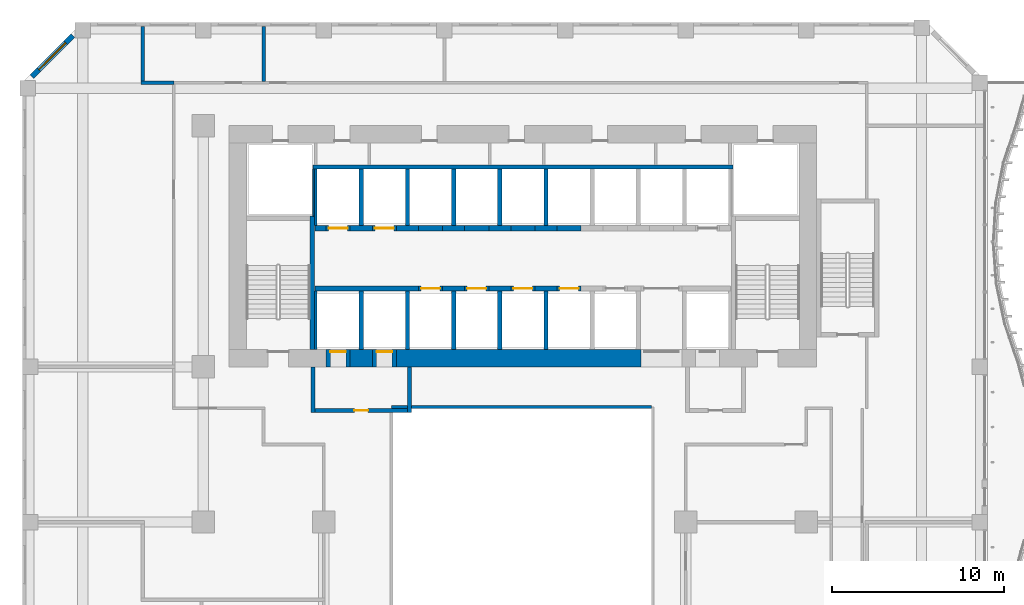
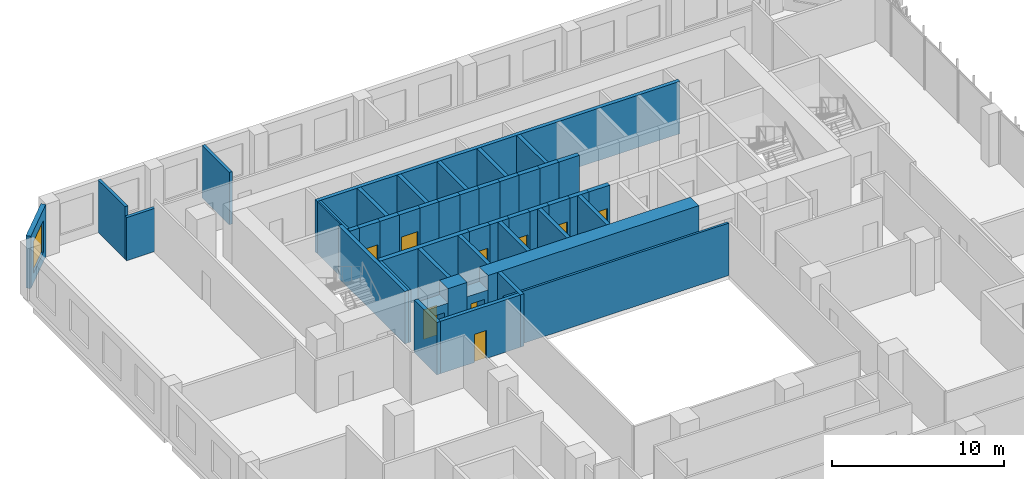
# One storey, part 15 of 27: 47 walls, 9 doors, 1 window, 10 openings.
"""IFC4 building model written with IfcOpenShell, lengths in metres."""

from ifc_helpers import new_model, si_unit, direction, frame, frame_2d, origin, place, context, subcontext, project, spatial, rectangle, extrude, source, transform, mapped, material, layer, layer_set, type_object, element, fill, save


model = new_model("IFC4")

# Units and contexts
model_context = context("Model", 3, precision=1e-05, world=origin(), true_north=direction((0.0, 1.0)))
body_context = subcontext(model_context, "Body", "Model", "MODEL_VIEW")
ifc_project = project(units=[si_unit("LENGTHUNIT", "METRE"), si_unit("AREAUNIT", "SQUARE_METRE"), si_unit("VOLUMEUNIT", "CUBIC_METRE"), si_unit("PLANEANGLEUNIT", "RADIAN"), si_unit("MASSUNIT", "GRAM", prefix="KILO")], contexts=[model_context])

# Site, building, storey
site_placement = place(None, origin())
site = spatial("IfcSite", under=ifc_project, at=site_placement, CompositionType="ELEMENT")
building_placement = place(site_placement, origin())
building = spatial("IfcBuilding", under=site, at=building_placement, Name="Kilnfold Tower and Market Hall", CompositionType="ELEMENT")
storey_placement = place(building_placement, frame((0.0, 0.0, 51.0)))
storey = spatial("IfcBuildingStorey", under=building, at=storey_placement, Name="L11", CompositionType="ELEMENT", Elevation=51.0)

# Walls
ifc_material_1 = material(Name="Fire-resisting glazed screen")
ifc_layer_1 = layer(ifc_material_1, 0.14990234375)
ifc_layer_set_1 = layer_set([ifc_layer_1], Name="Fire-resisting glazed screen")
wall_type_1 = type_object("IfcWallType", Name="WALL ATRIUM 150", PredefinedType="PARTITIONING", material=ifc_layer_set_1)
wall_1_placement = place(storey_placement, frame((-6.574951171875, 5.675048828125, 0.0), z_axis=(0.0, 0.0, 1.0), x_axis=(1.0, 0.0, 0.0)))
element("IfcWall", 1, at=wall_1_placement, inside=storey, type_object=wall_type_1, Name="Partition LY10.70", PredefinedType="PARTITIONING", context=body_context, shape_type="SweptSolid", body=[
    extrude(rectangle(XDim=15.074951171875, YDim=0.14990234375, at=frame_2d((7.53759765625, 0.0))), origin(), (0.0, 0.0, 1.0), 3.719970703125),
])
ifc_material_2 = material(Name="Gypsum board on steel studs", Category="steel")
ifc_layer_2 = layer(ifc_material_2, 0.199951171875)
ifc_layer_set_2 = layer_set([ifc_layer_2], Name="Gypsum board on steel studs")
wall_type_2 = type_object("IfcWallType", Name="WALL PARTY 200", PredefinedType="PARTITIONING", material=ifc_layer_set_2)
wall_2_placement = place(storey_placement, frame((-14.0, 27.75, 0.0), z_axis=(0.0, 0.0, 1.0), x_axis=(0.0, -1.0, 0.0)))
element("IfcWall", 2, at=wall_2_placement, inside=storey, type_object=wall_type_2, Name="Partition LY10.65", PredefinedType="PARTITIONING", context=body_context, shape_type="SweptSolid", body=[
    extrude(rectangle(XDim=3.174072265625, YDim=0.199951171875, at=frame_2d((1.5869140625, 0.0))), origin(), (0.0, 0.0, 1.0), 3.719970703125),
])
wall_3_placement = place(storey_placement, frame((-21.10009765625, 24.5, 0.0), z_axis=(0.0, 0.0, 1.0), x_axis=(1.0, 0.0, 0.0)))
element("IfcWall", 3, at=wall_3_placement, inside=storey, type_object=wall_type_2, Name="Partition LY10.66", PredefinedType="PARTITIONING", context=body_context, shape_type="SweptSolid", body=[
    extrude(rectangle(XDim=1.899169921875, YDim=0.199951171875, at=frame_2d((0.94970703125, 0.0))), origin(), (0.0, 0.0, 1.0), 3.070068359375),
])
wall_4_placement = place(storey_placement, frame((-21.0, 24.60009765625, 0.0), z_axis=(0.0, 0.0, 1.0), x_axis=(0.0, 1.0, 0.0)))
element("IfcWall", 4, at=wall_4_placement, inside=storey, type_object=wall_type_2, Name="Partition LY10.67", PredefinedType="PARTITIONING", context=body_context, shape_type="SweptSolid", body=[
    extrude(rectangle(XDim=3.14990234375, YDim=0.199951171875, at=frame_2d((1.574951171875, 0.0))), origin(), (0.0, 0.0, 1.0), 3.719970703125),
])
ifc_material_3 = material(Name="Concrete C80", Category="concrete")
ifc_layer_3 = layer(ifc_material_3, 1.0)
ifc_layer_set_3 = layer_set([ifc_layer_3], Name="Concrete C80")
wall_type_3 = type_object("IfcWallType", Name="CORE WALL 1000 C80", PredefinedType="SHEAR", material=ifc_layer_set_3)
shared_shape_1 = source(origin(), body_context, "Body", "SweptSolid", [
    extrude(rectangle(XDim=1.280029296875, YDim=1.0, at=frame_2d((0.64013671875, 0.0))), origin(), (0.0, 0.0, 1.0), 3.719970703125),
])
wall_5_placement = place(storey_placement, frame((-8.969970703125, 8.5, 0.0), z_axis=(0.0, 0.0, 1.0), x_axis=(1.0, 0.0, 0.0)))
element("IfcWall", 5, at=wall_5_placement, inside=storey, type_object=wall_type_3, Name="Core outer wall south", PredefinedType="SHEAR", context=body_context, shape_type="MappedRepresentation", body=[
    mapped(shared_shape_1, transform((0.0, 0.0, 0.0))),
])
shared_shape_2 = source(origin(), body_context, "Body", "SweptSolid", [
    extrude(rectangle(XDim=14.179931640625, YDim=1.0, at=frame_2d((7.08984375, 0.0))), origin(), (0.0, 0.0, 1.0), 3.719970703125),
])
wall_6_placement = place(storey_placement, frame((-6.2900390625, 8.5, 0.0), z_axis=(0.0, 0.0, 1.0), x_axis=(1.0, 0.0, 0.0)))
element("IfcWall", 6, at=wall_6_placement, inside=storey, type_object=wall_type_3, Name="Core outer wall south", PredefinedType="SHEAR", context=body_context, shape_type="MappedRepresentation", body=[
    mapped(shared_shape_2, transform((0.0, 0.0, 0.0))),
])
ifc_material_4 = material(Name="Concrete C80", Category="concrete")
ifc_layer_4 = layer(ifc_material_4, 0.25)
ifc_layer_set_4 = layer_set([ifc_layer_4], Name="Concrete C80")
wall_type_4 = type_object("IfcWallType", Name="CORE WALL 250 C80", PredefinedType="SHEAR", material=ifc_layer_set_4)
shared_shape_3 = source(origin(), body_context, "Body", "SweptSolid", [
    extrude(rectangle(XDim=7.75, YDim=0.25, at=frame_2d((3.875, 0.0))), origin(), (0.0, 0.0, 1.0), 3.719970703125),
])
wall_7_placement = place(storey_placement, frame((-11.175048828125, 9.0, 0.0), z_axis=(0.0, 0.0, 1.0), x_axis=(0.0, 1.0, 0.0)))
element("IfcWall", 7, at=wall_7_placement, inside=storey, type_object=wall_type_4, Name="Stair enclosure ST1", PredefinedType="SHEAR", context=body_context, shape_type="MappedRepresentation", body=[
    mapped(shared_shape_3, transform((0.0, 0.0, 0.0))),
])
ifc_material_5 = material(Name="Concrete C80", Category="concrete")
ifc_layer_5 = layer(ifc_material_5, 0.300048828125)
ifc_layer_set_5 = layer_set([ifc_layer_5], Name="Concrete C80")
wall_type_5 = type_object("IfcWallType", Name="CORE WALL 300 C80", PredefinedType="SHEAR", material=ifc_layer_set_5)
shared_shape_4 = source(origin(), body_context, "Body", "SweptSolid", [
    extrude(rectangle(XDim=6.0, YDim=0.300048828125, at=frame_2d((3.0, 0.0))), origin(), (0.0, 0.0, 1.0), 3.719970703125),
])
wall_8_placement = place(storey_placement, frame((-11.010009765625, 12.550048828125, 0.0), z_axis=(0.0, 0.0, 1.0), x_axis=(1.0, 0.0, 0.0)))
element("IfcWall", 8, at=wall_8_placement, inside=storey, type_object=wall_type_5, Name="Core spine wall", PredefinedType="SHEAR", context=body_context, shape_type="MappedRepresentation", body=[
    mapped(shared_shape_4, transform((0.0, 0.0, 0.0))),
])
shared_shape_5 = source(origin(), body_context, "Body", "SweptSolid", [
    extrude(rectangle(XDim=1.280029296875, YDim=0.300048828125, at=frame_2d((0.64013671875, 0.0))), origin(), (0.0, 0.0, 1.0), 3.719970703125),
])
for number, where, z_axis, x_axis, name in (
    (9, (-3.610107421875, 12.550048828125, 0.0), (0.0, 0.0, 1.0), (1.0, 0.0, 0.0), "Core spine wall"),
    (10, (-0.929931640625, 12.550048828125, 0.0), (0.0, 0.0, 1.0), (1.0, 0.0, 0.0), "Core spine wall"),
    (11, (1.75, 12.550048828125, 0.0), (0.0, 0.0, 1.0), (1.0, 0.0, 0.0), "Core spine wall"),
    (12, (-8.969970703125, 16.050048828125, 0.0), (0.0, 0.0, 1.0), (1.0, 0.0, 0.0), "Core spine wall"),
    (13, (-6.2900390625, 16.050048828125, 0.0), (0.0, 0.0, 1.0), (1.0, 0.0, 0.0), "Core spine wall"),
    (14, (-3.610107421875, 16.050048828125, 0.0), (0.0, 0.0, 1.0), (1.0, 0.0, 0.0), "Core spine wall"),
    (15, (-0.929931640625, 16.050048828125, 0.0), (0.0, 0.0, 1.0), (1.0, 0.0, 0.0), "Core spine wall"),
    (16, (1.75, 16.050048828125, 0.0), (0.0, 0.0, 1.0), (1.0, 0.0, 0.0), "Core spine wall"),
):
    element("IfcWall", number, at=place(storey_placement, frame(where, z_axis=z_axis, x_axis=x_axis)), inside=storey, type_object=wall_type_5, Name=name, PredefinedType="SHEAR", context=body_context, shape_type="MappedRepresentation", body=[
        mapped(shared_shape_5, transform((0.0, 0.0, 0.0))),
    ])
shared_shape_6 = source(origin(), body_context, "Body", "SweptSolid", [
    extrude(rectangle(XDim=0.639892578125, YDim=0.300048828125, at=frame_2d((0.31982421875, 0.0))), origin(), (0.0, 0.0, 1.0), 3.719970703125),
])
wall_9_placement = place(storey_placement, frame((-11.010009765625, 16.050048828125, 0.0), z_axis=(0.0, 0.0, 1.0), x_axis=(1.0, 0.0, 0.0)))
element("IfcWall", 17, at=wall_9_placement, inside=storey, type_object=wall_type_5, Name="Core spine wall", PredefinedType="SHEAR", context=body_context, shape_type="MappedRepresentation", body=[
    mapped(shared_shape_6, transform((0.0, 0.0, 0.0))),
])

# Wall, opening, window
ifc_material_6 = material(Name="Precast concrete C50/60", Category="concrete")
ifc_layer_6 = layer(ifc_material_6, 0.300048828125)
ifc_layer_set_6 = layer_set([ifc_layer_6], Name="Precast concrete C50/60")
wall_type_6 = type_object("IfcWallType", Name="PRECAST WALL 300", PredefinedType="SOLIDWALL", material=ifc_layer_set_6)
shared_shape_7 = source(origin(), body_context, "Body", "SweptSolid", [
    extrude(rectangle(XDim=3.35888671875, YDim=0.300048828125, at=frame_2d((1.679443359375, 0.0))), origin(), (0.0, 0.0, 1.0), 3.719970703125),
])
wall_10_placement = place(storey_placement, frame((-25.06884765625, 27.218994140625, 0.0), z_axis=(0.0, 0.0, 1.0), x_axis=(-0.707143122278, -0.707070438228, 0.0)))
wall_10 = element("IfcWall", 18, at=wall_10_placement, inside=storey, type_object=wall_type_6, Name="External wall L11 NW", PredefinedType="SOLIDWALL", context=body_context, shape_type="MappedRepresentation", body=[
    mapped(shared_shape_7, transform((0.0, 0.0, 0.0))),
])
opening_1_placement = place(wall_10_placement, frame((0.579345703125, 0.0, 0.699951171875)))
opening_1 = element("IfcOpeningElement", 19, at=opening_1_placement, cuts=wall_10, Name="Opening W1", PredefinedType="OPENING", context=body_context, shape_type="SweptSolid", body=[
    extrude(rectangle(XDim=2.199951171875, YDim=2.25, at=frame_2d((1.10009765625, 1.125))), frame((0.0, 0.16015625, 0.0), z_axis=(0.0, -1.0, 0.0), x_axis=(1.0, 0.0, 0.0)), (0.0, 0.0, 1.0), 0.320068359375),
])
ifc_material_7 = material(Name="Aluminium frame and double glazing", Category="aluminium")
window_type = type_object("IfcWindowType", Name="WINDOW W1 2200X2250", PartitioningType="SINGLE_PANEL", PredefinedType="WINDOW", material=ifc_material_7)
window_placement = place(opening_1_placement, origin())
window = element("IfcWindow", 20, at=window_placement, inside=storey, type_object=window_type, Name="Window W1 L11 NW-1", OverallHeight=2.25, OverallWidth=2.199951171875, PartitioningType="SINGLE_PANEL", PredefinedType="WINDOW", context=body_context, shape_type="SweptSolid", body=[
    extrude(rectangle(XDim=2.199951171875, YDim=2.25, at=frame_2d((1.10009765625, 1.125))), frame((0.0, 0.030029296875, 0.0), z_axis=(0.0, -1.0, 0.0), x_axis=(1.0, 0.0, 0.0)), (0.0, 0.0, 1.0), 0.06005859375),
])
fill(opening_1, window)

# Wall, opening, door
ifc_material_8 = material(Name="Gypsum shaft wall system")
ifc_layer_7 = layer(ifc_material_8, 1.0)
ifc_layer_set_7 = layer_set([ifc_layer_7], Name="Gypsum shaft wall system")
wall_type_7 = type_object("IfcWallType", Name="LOBBY WALL 1000", PredefinedType="PARTITIONING", material=ifc_layer_set_7)
shared_shape_8 = source(origin(), body_context, "Body", "SweptSolid", [
    extrude(rectangle(XDim=1.400146484375, YDim=1.0, at=frame_2d((0.7001953125, 0.0))), origin(), (0.0, 0.0, 1.0), 2.699951171875),
])
wall_11_placement = place(storey_placement, frame((-10.3701171875, 8.5, 0.0), z_axis=(0.0, 0.0, 1.0), x_axis=(1.0, 0.0, 0.0)))
wall_11 = element("IfcWall", 21, at=wall_11_placement, inside=storey, type_object=wall_type_7, Name="Core wall infill", PredefinedType="PARTITIONING", context=body_context, shape_type="MappedRepresentation", body=[
    mapped(shared_shape_8, transform((0.0, 0.0, 0.0))),
])
opening_2_placement = place(wall_11_placement, frame((0.25, 0.0, 0.0)))
opening_2 = element("IfcOpeningElement", 22, at=opening_2_placement, cuts=wall_11, Name="Opening LD1", PredefinedType="OPENING", context=body_context, shape_type="SweptSolid", body=[
    extrude(rectangle(XDim=0.89990234375, YDim=2.10009765625, at=frame_2d((0.449951171875, 1.050048828125))), frame((0.0, 0.510009765625, 0.0), z_axis=(0.0, -1.0, 0.0), x_axis=(1.0, 0.0, 0.0)), (0.0, 0.0, 1.0), 1.02001953125),
])
ifc_material_9 = material(Name="Steel door set with fire-resisting leaf", Category="steel")
door_type_1 = type_object("IfcDoorType", Name="FIREFIGHTING LANDING DOOR 900X2100", OperationType="NOTDEFINED", PredefinedType="DOOR", material=ifc_material_9)
door_1_placement = place(opening_2_placement, origin())
door_1 = element("IfcDoor", 23, at=door_1_placement, inside=storey, type_object=door_type_1, Name="Landing door FF1", OperationType="SLIDING_TO_LEFT", OverallHeight=2.10009765625, OverallWidth=0.89990234375, PredefinedType="DOOR", context=body_context, shape_type="SweptSolid", body=[
    extrude(rectangle(XDim=0.89990234375, YDim=2.10009765625, at=frame_2d((0.449951171875, 1.050048828125))), frame((0.0, 0.40478515625, 0.0), z_axis=(0.0, -1.0, 0.0), x_axis=(1.0, 0.0, 0.0)), (0.0, 0.0, 1.0), 0.050048828125),
])
fill(opening_2, door_1)

shared_shape_9 = source(origin(), body_context, "Body", "SweptSolid", [
    extrude(rectangle(XDim=1.39990234375, YDim=1.0, at=frame_2d((0.699951171875, 0.0))), origin(), (0.0, 0.0, 1.0), 2.699951171875),
])
wall_12_placement = place(storey_placement, frame((-7.68994140625, 8.5, 0.0), z_axis=(0.0, 0.0, 1.0), x_axis=(1.0, 0.0, 0.0)))
wall_12 = element("IfcWall", 24, at=wall_12_placement, inside=storey, type_object=wall_type_7, Name="Core wall infill", PredefinedType="PARTITIONING", context=body_context, shape_type="MappedRepresentation", body=[
    mapped(shared_shape_9, transform((0.0, 0.0, 0.0))),
])
opening_3_placement = place(wall_12_placement, frame((0.25, 0.0, 0.0)))
opening_3 = element("IfcOpeningElement", 25, at=opening_3_placement, cuts=wall_12, Name="Opening LD1", PredefinedType="OPENING", context=body_context, shape_type="SweptSolid", body=[
    extrude(rectangle(XDim=0.89990234375, YDim=2.10009765625, at=frame_2d((0.449951171875, 1.050048828125))), frame((0.0, 0.510009765625, 0.0), z_axis=(0.0, -1.0, 0.0), x_axis=(1.0, 0.0, 0.0)), (0.0, 0.0, 1.0), 1.02001953125),
])
door_2_placement = place(opening_3_placement, origin())
door_2 = element("IfcDoor", 26, at=door_2_placement, inside=storey, type_object=door_type_1, Name="Landing door FF2", OperationType="SLIDING_TO_RIGHT", OverallHeight=2.10009765625, OverallWidth=0.89990234375, PredefinedType="DOOR", context=body_context, shape_type="SweptSolid", body=[
    extrude(rectangle(XDim=0.89990234375, YDim=2.10009765625, at=frame_2d((0.449951171875, 1.050048828125))), frame((0.0, 0.40478515625, 0.0), z_axis=(0.0, -1.0, 0.0), x_axis=(1.0, 0.0, 0.0)), (0.0, 0.0, 1.0), 0.050048828125),
])
fill(opening_3, door_2)

ifc_material_10 = material(Name="Gypsum shaft wall system")
ifc_layer_8 = layer(ifc_material_10, 0.300048828125)
ifc_layer_set_8 = layer_set([ifc_layer_8], Name="Gypsum shaft wall system")
wall_type_8 = type_object("IfcWallType", Name="SHAFT WALL 300", PredefinedType="PARTITIONING", material=ifc_layer_set_8)
shared_shape_10 = source(origin(), body_context, "Body", "SweptSolid", [
    extrude(rectangle(XDim=1.39990234375, YDim=0.300048828125, at=frame_2d((0.699951171875, 0.0))), origin(), (0.0, 0.0, 1.0), 3.719970703125),
])
wall_13_placement = place(storey_placement, frame((-5.010009765625, 12.550048828125, 0.0), z_axis=(0.0, 0.0, 1.0), x_axis=(1.0, 0.0, 0.0)))
wall_13 = element("IfcWall", 27, at=wall_13_placement, inside=storey, type_object=wall_type_8, Name="Lift shaft front wall", PredefinedType="PARTITIONING", context=body_context, shape_type="MappedRepresentation", body=[
    mapped(shared_shape_10, transform((0.0, 0.0, 0.0))),
])
opening_4_placement = place(wall_13_placement, frame((0.14990234375, 0.0, 0.0)))
opening_4 = element("IfcOpeningElement", 28, at=opening_4_placement, cuts=wall_13, Name="Opening LD2", PredefinedType="OPENING", context=body_context, shape_type="SweptSolid", body=[
    extrude(rectangle(XDim=1.10009765625, YDim=2.10009765625, at=frame_2d((0.550048828125, 1.050048828125))), frame((0.0, 0.16015625, 0.0), z_axis=(0.0, -1.0, 0.0), x_axis=(1.0, 0.0, 0.0)), (0.0, 0.0, 1.0), 0.320068359375),
])
ifc_material_11 = material(Name="Steel door set with fire-resisting leaf", Category="steel")
door_type_2 = type_object("IfcDoorType", Name="LANDING DOOR 1100X2100", OperationType="NOTDEFINED", PredefinedType="DOOR", material=ifc_material_11)
door_3_placement = place(opening_4_placement, origin())
door_3 = element("IfcDoor", 29, at=door_3_placement, inside=storey, type_object=door_type_2, Name="Landing door LR1", OperationType="DOUBLE_DOOR_SLIDING", OverallHeight=2.10009765625, OverallWidth=1.10009765625, PredefinedType="DOOR", context=body_context, shape_type="SweptSolid", body=[
    extrude(rectangle(XDim=1.10009765625, YDim=2.10009765625, at=frame_2d((0.550048828125, 1.050048828125))), frame((0.0, 0.02490234375, 0.0), z_axis=(0.0, -1.0, 0.0), x_axis=(1.0, 0.0, 0.0)), (0.0, 0.0, 1.0), 0.050048828125),
])
fill(opening_4, door_3)

wall_14_placement = place(storey_placement, frame((0.35009765625, 12.550048828125, 0.0), z_axis=(0.0, 0.0, 1.0), x_axis=(1.0, 0.0, 0.0)))
wall_14 = element("IfcWall", 30, at=wall_14_placement, inside=storey, type_object=wall_type_8, Name="Lift shaft front wall", PredefinedType="PARTITIONING", context=body_context, shape_type="MappedRepresentation", body=[
    mapped(shared_shape_10, transform((0.0, 0.0, 0.0))),
])
opening_5_placement = place(wall_14_placement, frame((0.14990234375, 0.0, 0.0)))
opening_5 = element("IfcOpeningElement", 31, at=opening_5_placement, cuts=wall_14, Name="Opening LD2", PredefinedType="OPENING", context=body_context, shape_type="SweptSolid", body=[
    extrude(rectangle(XDim=1.10009765625, YDim=2.10009765625, at=frame_2d((0.550048828125, 1.050048828125))), frame((0.0, 0.16015625, 0.0), z_axis=(0.0, -1.0, 0.0), x_axis=(1.0, 0.0, 0.0)), (0.0, 0.0, 1.0), 0.320068359375),
])
door_4_placement = place(opening_5_placement, origin())
door_4 = element("IfcDoor", 32, at=door_4_placement, inside=storey, type_object=door_type_2, Name="Landing door LR3", OperationType="DOUBLE_DOOR_SLIDING", OverallHeight=2.10009765625, OverallWidth=1.10009765625, PredefinedType="DOOR", context=body_context, shape_type="SweptSolid", body=[
    extrude(rectangle(XDim=1.10009765625, YDim=2.10009765625, at=frame_2d((0.550048828125, 1.050048828125))), frame((0.0, 0.02490234375, 0.0), z_axis=(0.0, -1.0, 0.0), x_axis=(1.0, 0.0, 0.0)), (0.0, 0.0, 1.0), 0.050048828125),
])
fill(opening_5, door_4)

wall_15_placement = place(storey_placement, frame((3.030029296875, 12.550048828125, 0.0), z_axis=(0.0, 0.0, 1.0), x_axis=(1.0, 0.0, 0.0)))
wall_15 = element("IfcWall", 33, at=wall_15_placement, inside=storey, type_object=wall_type_8, Name="Lift shaft front wall", PredefinedType="PARTITIONING", context=body_context, shape_type="MappedRepresentation", body=[
    mapped(shared_shape_10, transform((0.0, 0.0, 0.0))),
])
opening_6_placement = place(wall_15_placement, frame((0.14990234375, 0.0, 0.0)))
opening_6 = element("IfcOpeningElement", 34, at=opening_6_placement, cuts=wall_15, Name="Opening LD2", PredefinedType="OPENING", context=body_context, shape_type="SweptSolid", body=[
    extrude(rectangle(XDim=1.10009765625, YDim=2.10009765625, at=frame_2d((0.550048828125, 1.050048828125))), frame((0.0, 0.16015625, 0.0), z_axis=(0.0, -1.0, 0.0), x_axis=(1.0, 0.0, 0.0)), (0.0, 0.0, 1.0), 0.320068359375),
])
door_5_placement = place(opening_6_placement, origin())
door_5 = element("IfcDoor", 35, at=door_5_placement, inside=storey, type_object=door_type_2, Name="Landing door LR4", OperationType="DOUBLE_DOOR_SLIDING", OverallHeight=2.10009765625, OverallWidth=1.10009765625, PredefinedType="DOOR", context=body_context, shape_type="SweptSolid", body=[
    extrude(rectangle(XDim=1.10009765625, YDim=2.10009765625, at=frame_2d((0.550048828125, 1.050048828125))), frame((0.0, 0.02490234375, 0.0), z_axis=(0.0, -1.0, 0.0), x_axis=(1.0, 0.0, 0.0)), (0.0, 0.0, 1.0), 0.050048828125),
])
fill(opening_6, door_5)

wall_16_placement = place(storey_placement, frame((-7.68994140625, 16.050048828125, 0.0), z_axis=(0.0, 0.0, 1.0), x_axis=(1.0, 0.0, 0.0)))
wall_16 = element("IfcWall", 36, at=wall_16_placement, inside=storey, type_object=wall_type_8, Name="Lift shaft front wall", PredefinedType="PARTITIONING", context=body_context, shape_type="MappedRepresentation", body=[
    mapped(shared_shape_10, transform((0.0, 0.0, 0.0))),
])
opening_7_placement = place(wall_16_placement, frame((0.14990234375, 0.0, 0.0)))
opening_7 = element("IfcOpeningElement", 37, at=opening_7_placement, cuts=wall_16, Name="Opening LD2", PredefinedType="OPENING", context=body_context, shape_type="SweptSolid", body=[
    extrude(rectangle(XDim=1.10009765625, YDim=2.10009765625, at=frame_2d((0.550048828125, 1.050048828125))), frame((0.0, 0.16015625, 0.0), z_axis=(0.0, -1.0, 0.0), x_axis=(1.0, 0.0, 0.0)), (0.0, 0.0, 1.0), 0.320068359375),
])
door_6_placement = place(opening_7_placement, origin())
door_6 = element("IfcDoor", 38, at=door_6_placement, inside=storey, type_object=door_type_2, Name="Landing door LR8", OperationType="DOUBLE_DOOR_SLIDING", OverallHeight=2.10009765625, OverallWidth=1.10009765625, PredefinedType="DOOR", context=body_context, shape_type="SweptSolid", body=[
    extrude(rectangle(XDim=1.10009765625, YDim=2.10009765625, at=frame_2d((0.550048828125, 1.050048828125))), frame((0.0, 0.02490234375, 0.0), z_axis=(0.0, -1.0, 0.0), x_axis=(1.0, 0.0, 0.0)), (0.0, 0.0, 1.0), 0.050048828125),
])
fill(opening_7, door_6)

# Walls
for number, where, z_axis, x_axis, name in (
    (39, (-5.010009765625, 16.050048828125, 0.0), (0.0, 0.0, 1.0), (1.0, 0.0, 0.0), "Lift shaft front wall"),
    (40, (0.35009765625, 16.050048828125, 0.0), (0.0, 0.0, 1.0), (1.0, 0.0, 0.0), "Lift shaft front wall"),
    (41, (3.030029296875, 16.050048828125, 0.0), (0.0, 0.0, 1.0), (1.0, 0.0, 0.0), "Lift shaft front wall"),
):
    element("IfcWall", number, at=place(storey_placement, frame(where, z_axis=z_axis, x_axis=x_axis)), inside=storey, type_object=wall_type_8, Name=name, PredefinedType="PARTITIONING", context=body_context, shape_type="MappedRepresentation", body=[
        mapped(shared_shape_10, transform((0.0, 0.0, 0.0))),
    ])

# Wall, opening, door
shared_shape_11 = source(origin(), body_context, "Body", "SweptSolid", [
    extrude(rectangle(XDim=1.400146484375, YDim=0.300048828125, at=frame_2d((0.7001953125, 0.0))), origin(), (0.0, 0.0, 1.0), 3.719970703125),
])
wall_17_placement = place(storey_placement, frame((-2.330078125, 12.550048828125, 0.0), z_axis=(0.0, 0.0, 1.0), x_axis=(1.0, 0.0, 0.0)))
wall_17 = element("IfcWall", 42, at=wall_17_placement, inside=storey, type_object=wall_type_8, Name="Lift shaft front wall", PredefinedType="PARTITIONING", context=body_context, shape_type="MappedRepresentation", body=[
    mapped(shared_shape_11, transform((0.0, 0.0, 0.0))),
])
opening_8_placement = place(wall_17_placement, frame((0.14990234375, 0.0, 0.0)))
opening_8 = element("IfcOpeningElement", 43, at=opening_8_placement, cuts=wall_17, Name="Opening LD2", PredefinedType="OPENING", context=body_context, shape_type="SweptSolid", body=[
    extrude(rectangle(XDim=1.10009765625, YDim=2.10009765625, at=frame_2d((0.550048828125, 1.050048828125))), frame((0.0, 0.16015625, 0.0), z_axis=(0.0, -1.0, 0.0), x_axis=(1.0, 0.0, 0.0)), (0.0, 0.0, 1.0), 0.320068359375),
])
door_7_placement = place(opening_8_placement, origin())
door_7 = element("IfcDoor", 44, at=door_7_placement, inside=storey, type_object=door_type_2, Name="Landing door LR2", OperationType="DOUBLE_DOOR_SLIDING", OverallHeight=2.10009765625, OverallWidth=1.10009765625, PredefinedType="DOOR", context=body_context, shape_type="SweptSolid", body=[
    extrude(rectangle(XDim=1.10009765625, YDim=2.10009765625, at=frame_2d((0.550048828125, 1.050048828125))), frame((0.0, 0.02490234375, 0.0), z_axis=(0.0, -1.0, 0.0), x_axis=(1.0, 0.0, 0.0)), (0.0, 0.0, 1.0), 0.050048828125),
])
fill(opening_8, door_7)

wall_18_placement = place(storey_placement, frame((-10.3701171875, 16.050048828125, 0.0), z_axis=(0.0, 0.0, 1.0), x_axis=(1.0, 0.0, 0.0)))
wall_18 = element("IfcWall", 45, at=wall_18_placement, inside=storey, type_object=wall_type_8, Name="Lift shaft front wall", PredefinedType="PARTITIONING", context=body_context, shape_type="MappedRepresentation", body=[
    mapped(shared_shape_11, transform((0.0, 0.0, 0.0))),
])
opening_9_placement = place(wall_18_placement, frame((0.14990234375, 0.0, 0.0)))
opening_9 = element("IfcOpeningElement", 46, at=opening_9_placement, cuts=wall_18, Name="Opening LD2", PredefinedType="OPENING", context=body_context, shape_type="SweptSolid", body=[
    extrude(rectangle(XDim=1.10009765625, YDim=2.10009765625, at=frame_2d((0.550048828125, 1.050048828125))), frame((0.0, 0.16015625, 0.0), z_axis=(0.0, -1.0, 0.0), x_axis=(1.0, 0.0, 0.0)), (0.0, 0.0, 1.0), 0.320068359375),
])
door_8_placement = place(opening_9_placement, origin())
door_8 = element("IfcDoor", 47, at=door_8_placement, inside=storey, type_object=door_type_2, Name="Landing door LR7", OperationType="DOUBLE_DOOR_SLIDING", OverallHeight=2.10009765625, OverallWidth=1.10009765625, PredefinedType="DOOR", context=body_context, shape_type="SweptSolid", body=[
    extrude(rectangle(XDim=1.10009765625, YDim=2.10009765625, at=frame_2d((0.550048828125, 1.050048828125))), frame((0.0, 0.02490234375, 0.0), z_axis=(0.0, -1.0, 0.0), x_axis=(1.0, 0.0, 0.0)), (0.0, 0.0, 1.0), 0.050048828125),
])
fill(opening_9, door_8)

# Walls
wall_19_placement = place(storey_placement, frame((-2.330078125, 16.050048828125, 0.0), z_axis=(0.0, 0.0, 1.0), x_axis=(1.0, 0.0, 0.0)))
element("IfcWall", 48, at=wall_19_placement, inside=storey, type_object=wall_type_8, Name="Lift shaft front wall", PredefinedType="PARTITIONING", context=body_context, shape_type="MappedRepresentation", body=[
    mapped(shared_shape_11, transform((0.0, 0.0, 0.0))),
])
ifc_material_12 = material(Name="Gypsum shaft wall system")
ifc_layer_9 = layer(ifc_material_12, 0.25)
ifc_layer_set_9 = layer_set([ifc_layer_9], Name="Gypsum shaft wall system")
wall_type_9 = type_object("IfcWallType", Name="LOBBY WALL 250", PredefinedType="PARTITIONING", material=ifc_layer_set_9)
shared_shape_12 = source(origin(), body_context, "Body", "SweptSolid", [
    extrude(rectangle(XDim=2.64990234375, YDim=0.25, at=frame_2d((1.324951171875, 0.0))), origin(), (0.0, 0.0, 1.0), 3.719970703125),
])
for number, where, z_axis, x_axis, name in (
    (49, (-11.135009765625, 5.35009765625, 0.0), (0.0, 0.0, 1.0), (0.0, 1.0, 0.0), "Firefighting lobby wall"),
    (50, (-5.52490234375, 5.35009765625, 0.0), (0.0, 0.0, 1.0), (0.0, 1.0, 0.0), "Firefighting lobby wall"),
):
    element("IfcWall", number, at=place(storey_placement, frame(where, z_axis=z_axis, x_axis=x_axis)), inside=storey, type_object=wall_type_9, Name=name, PredefinedType="PARTITIONING", context=body_context, shape_type="MappedRepresentation", body=[
        mapped(shared_shape_12, transform((0.0, 0.0, 0.0))),
    ])

# Wall, opening, door
shared_shape_13 = source(origin(), body_context, "Body", "SweptSolid", [
    extrude(rectangle(XDim=5.360107421875, YDim=0.25, at=frame_2d((2.68017578125, 0.0))), origin(), (0.0, 0.0, 1.0), 3.719970703125),
])
wall_20_placement = place(storey_placement, frame((-11.010009765625, 5.47509765625, 0.0), z_axis=(0.0, 0.0, 1.0), x_axis=(1.0, 0.0, 0.0)))
wall_20 = element("IfcWall", 51, at=wall_20_placement, inside=storey, type_object=wall_type_9, Name="Firefighting lobby wall", PredefinedType="PARTITIONING", context=body_context, shape_type="MappedRepresentation", body=[
    mapped(shared_shape_13, transform((0.0, 0.0, 0.0))),
])
opening_10_placement = place(wall_20_placement, frame((2.280029296875, 0.0, 0.0)))
opening_10 = element("IfcOpeningElement", 52, at=opening_10_placement, cuts=wall_20, Name="Opening VD1", PredefinedType="OPENING", context=body_context, shape_type="SweptSolid", body=[
    extrude(rectangle(XDim=0.800048828125, YDim=2.0, at=frame_2d((0.39990234375, 1.0))), frame((0.0, 0.135009765625, 0.0), z_axis=(0.0, -1.0, 0.0), x_axis=(1.0, 0.0, 0.0)), (0.0, 0.0, 1.0), 0.27001953125),
])
ifc_material_13 = material(Name="Steel door set with fire-resisting leaf", Category="steel")
door_type_3 = type_object("IfcDoorType", Name="FIREFIGHTING LOBBY DOOR 800X2000", OperationType="NOTDEFINED", PredefinedType="DOOR", material=ifc_material_13)
door_9_placement = place(opening_10_placement, origin())
door_9 = element("IfcDoor", 53, at=door_9_placement, inside=storey, type_object=door_type_3, Name="Firefighting lobby door", OperationType="SINGLE_SWING_LEFT", OverallHeight=2.0, OverallWidth=0.800048828125, PredefinedType="DOOR", context=body_context, shape_type="SweptSolid", body=[
    extrude(rectangle(XDim=0.800048828125, YDim=2.0, at=frame_2d((0.39990234375, 1.0))), frame((0.0, 0.02490234375, 0.0), z_axis=(0.0, -1.0, 0.0), x_axis=(1.0, 0.0, 0.0)), (0.0, 0.0, 1.0), 0.050048828125),
])
fill(opening_10, door_9)

# Walls
ifc_material_14 = material(Name="Gypsum shaft wall system")
ifc_layer_10 = layer(ifc_material_14, 0.25)
ifc_layer_set_10 = layer_set([ifc_layer_10], Name="Gypsum shaft wall system")
wall_type_10 = type_object("IfcWallType", Name="SHAFT WALL 250", PredefinedType="PARTITIONING", material=ifc_layer_set_10)
shared_shape_14 = source(origin(), body_context, "Body", "SweptSolid", [
    extrude(rectangle(XDim=24.3701171875, YDim=0.25, at=frame_2d((12.18505859375, 0.0))), origin(), (0.0, 0.0, 1.0), 3.719970703125),
])
wall_21_placement = place(storey_placement, frame((-11.135009765625, 19.60009765625, 0.0), z_axis=(0.0, 0.0, 1.0), x_axis=(1.0, 0.0, 0.0)))
element("IfcWall", 54, at=wall_21_placement, inside=storey, type_object=wall_type_10, Name="Lift shaft wall", PredefinedType="PARTITIONING", context=body_context, shape_type="MappedRepresentation", body=[
    mapped(shared_shape_14, transform((0.0, 0.0, 0.0))),
])
ifc_material_15 = material(Name="Gypsum shaft wall system")
ifc_layer_11 = layer(ifc_material_15, 0.1650390625)
ifc_layer_set_11 = layer_set([ifc_layer_11], Name="Gypsum shaft wall system")
wall_type_11 = type_object("IfcWallType", Name="SHAFT WALL 165", PredefinedType="PARTITIONING", material=ifc_layer_set_11)
shared_shape_15 = source(origin(), body_context, "Body", "SweptSolid", [
    extrude(rectangle(XDim=3.275146484375, YDim=0.1650390625, at=frame_2d((1.6376953125, 0.0))), origin(), (0.0, 0.0, 1.0), 3.719970703125),
])
wall_22_placement = place(storey_placement, frame((-10.967529296875, 16.199951171875, 0.0), z_axis=(0.0, 0.0, 1.0), x_axis=(0.0, 1.0, 0.0)))
element("IfcWall", 55, at=wall_22_placement, inside=storey, type_object=wall_type_11, Name="Lift shaft wall", PredefinedType="PARTITIONING", context=body_context, shape_type="MappedRepresentation", body=[
    mapped(shared_shape_15, transform((0.0, 0.0, 0.0))),
])
shared_shape_16 = source(origin(), body_context, "Body", "SweptSolid", [
    extrude(rectangle(XDim=3.275146484375, YDim=0.25, at=frame_2d((1.6376953125, 0.0))), origin(), (0.0, 0.0, 1.0), 3.719970703125),
])
for number, where, z_axis, x_axis, name in (
    (56, (2.389892578125, 16.199951171875, 0.0), (0.0, 0.0, 1.0), (0.0, 1.0, 0.0), "Lift shaft wall"),
    (57, (-0.2900390625, 16.199951171875, 0.0), (0.0, 0.0, 1.0), (0.0, 1.0, 0.0), "Lift shaft wall"),
    (58, (-2.969970703125, 16.199951171875, 0.0), (0.0, 0.0, 1.0), (0.0, 1.0, 0.0), "Lift shaft wall"),
    (59, (-5.64990234375, 16.199951171875, 0.0), (0.0, 0.0, 1.0), (0.0, 1.0, 0.0), "Lift shaft wall"),
    (60, (-8.330078125, 16.199951171875, 0.0), (0.0, 0.0, 1.0), (0.0, 1.0, 0.0), "Lift shaft wall"),
):
    element("IfcWall", number, at=place(storey_placement, frame(where, z_axis=z_axis, x_axis=x_axis)), inside=storey, type_object=wall_type_10, Name=name, PredefinedType="PARTITIONING", context=body_context, shape_type="MappedRepresentation", body=[
        mapped(shared_shape_16, transform((0.0, 0.0, 0.0))),
    ])
ifc_material_16 = material(Name="Gypsum shaft wall system")
ifc_layer_12 = layer(ifc_material_16, 0.0849609375)
ifc_layer_set_12 = layer_set([ifc_layer_12], Name="Gypsum shaft wall system")
wall_type_12 = type_object("IfcWallType", Name="SHAFT WALL 85", PredefinedType="PARTITIONING", material=ifc_layer_set_12)
shared_shape_17 = source(origin(), body_context, "Body", "SweptSolid", [
    extrude(rectangle(XDim=2.72509765625, YDim=0.0849609375, at=frame_2d((1.362548828125, 0.0))), origin(), (0.0, 0.0, 1.0), 3.719970703125),
])
wall_23_placement = place(storey_placement, frame((-11.092529296875, 16.75, 0.0), z_axis=(0.0, 0.0, 1.0), x_axis=(0.0, 1.0, 0.0)))
element("IfcWall", 61, at=wall_23_placement, inside=storey, type_object=wall_type_12, Name="Lift shaft wall", PredefinedType="PARTITIONING", context=body_context, shape_type="MappedRepresentation", body=[
    mapped(shared_shape_17, transform((0.0, 0.0, 0.0))),
])
shared_shape_18 = source(origin(), body_context, "Body", "SweptSolid", [
    extrude(rectangle(XDim=3.39990234375, YDim=0.25, at=frame_2d((1.699951171875, 0.0))), origin(), (0.0, 0.0, 1.0), 3.719970703125),
])
for number, where, z_axis, x_axis, name in (
    (62, (2.389892578125, 9.0, 0.0), (0.0, 0.0, 1.0), (0.0, 1.0, 0.0), "Lift shaft wall"),
    (63, (-0.2900390625, 9.0, 0.0), (0.0, 0.0, 1.0), (0.0, 1.0, 0.0), "Lift shaft wall"),
    (64, (-2.969970703125, 9.0, 0.0), (0.0, 0.0, 1.0), (0.0, 1.0, 0.0), "Lift shaft wall"),
    (65, (-5.64990234375, 9.0, 0.0), (0.0, 0.0, 1.0), (0.0, 1.0, 0.0), "Lift shaft wall"),
    (66, (-8.330078125, 9.0, 0.0), (0.0, 0.0, 1.0), (0.0, 1.0, 0.0), "Lift shaft wall"),
):
    element("IfcWall", number, at=place(storey_placement, frame(where, z_axis=z_axis, x_axis=x_axis)), inside=storey, type_object=wall_type_10, Name=name, PredefinedType="PARTITIONING", context=body_context, shape_type="MappedRepresentation", body=[
        mapped(shared_shape_18, transform((0.0, 0.0, 0.0))),
    ])
shared_shape_19 = source(origin(), body_context, "Body", "SweptSolid", [
    extrude(rectangle(XDim=3.39990234375, YDim=0.1650390625, at=frame_2d((1.699951171875, 0.0))), origin(), (0.0, 0.0, 1.0), 3.719970703125),
])
wall_24_placement = place(storey_placement, frame((-10.967529296875, 9.0, 0.0), z_axis=(0.0, 0.0, 1.0), x_axis=(0.0, 1.0, 0.0)))
element("IfcWall", 67, at=wall_24_placement, inside=storey, type_object=wall_type_11, Name="Lift shaft wall", PredefinedType="PARTITIONING", context=body_context, shape_type="MappedRepresentation", body=[
    mapped(shared_shape_19, transform((0.0, 0.0, 0.0))),
])

save(model, "model.ifc")
